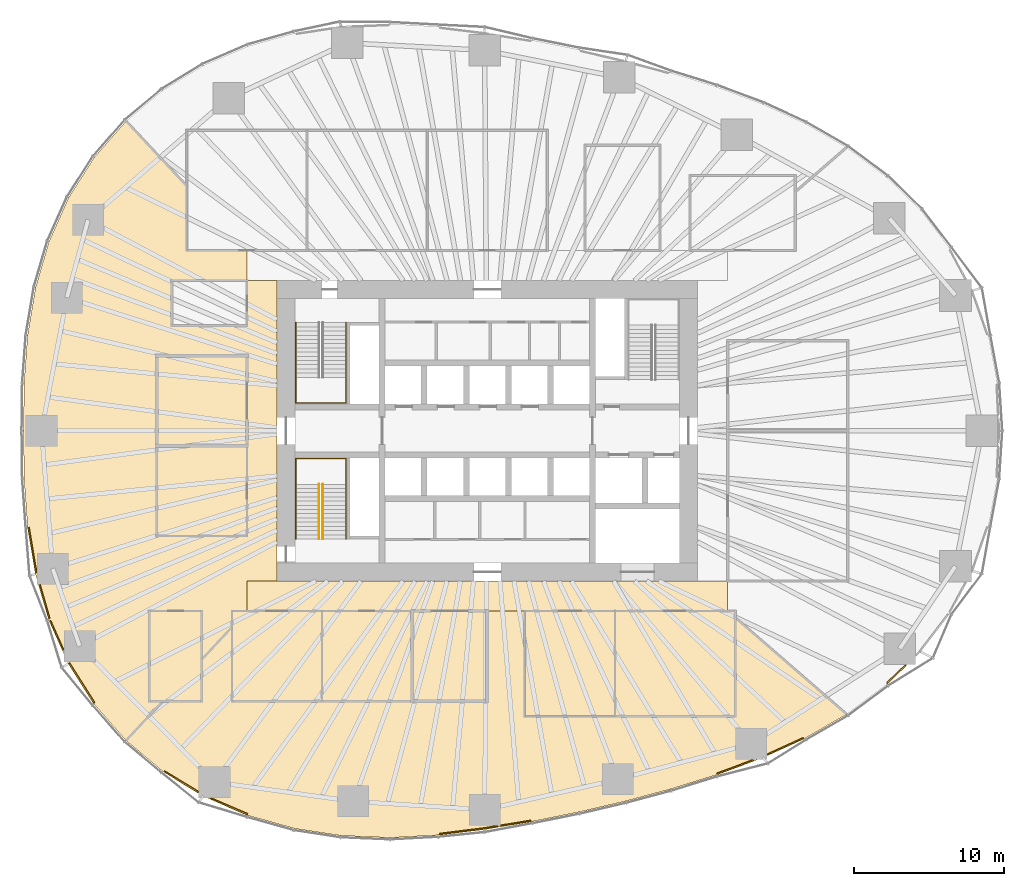
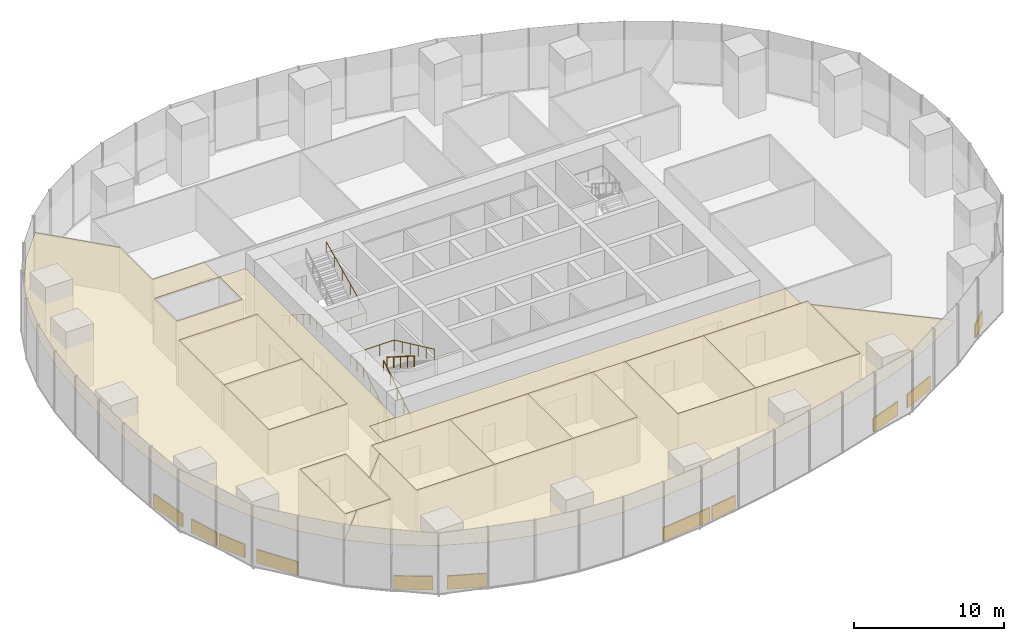
# One storey, part 17 of 20: 23 coverings, 4 railings.
"""IFC4 building model written with IfcOpenShell, lengths in metres."""

from ifc_helpers import new_model, si_unit, direction, frame, origin, origin_2d, place, context, subcontext, project, spatial, polyline, rectangle, circle, outline, extrude, material, layer, layer_set, type_object, element, save


model = new_model("IFC4")

# Units and contexts
model_context = context("Model", 3, precision=1e-05, world=origin(), true_north=direction((0.0, 1.0)))
body_context = subcontext(model_context, "Body", "Model", "MODEL_VIEW")
ifc_project = project(units=[si_unit("LENGTHUNIT", "METRE"), si_unit("AREAUNIT", "SQUARE_METRE"), si_unit("VOLUMEUNIT", "CUBIC_METRE"), si_unit("PLANEANGLEUNIT", "RADIAN"), si_unit("MASSUNIT", "GRAM", prefix="KILO")], contexts=[model_context])

# Site, building, storey
site_placement = place(None, origin())
site = spatial("IfcSite", under=ifc_project, at=site_placement, CompositionType="ELEMENT")
building_placement = place(site_placement, origin())
building = spatial("IfcBuilding", under=site, at=building_placement, Name="Ghaith Harvest Tower", CompositionType="ELEMENT")
storey_placement = place(building_placement, frame((0.0, 0.0, 35.0)))
storey = spatial("IfcBuildingStorey", under=building, at=storey_placement, Name="L07", CompositionType="ELEMENT", Elevation=35.0)

# Coverings
ifc_material_1 = material(Name="Mineral fibre ceiling tile", Category="gypsum")
ifc_layer_1 = layer(ifc_material_1, 0.02490234375)
ifc_layer_set_1 = layer_set([ifc_layer_1], Name="CEILING C2")
covering_type_1 = type_object("IfcCoveringType", Name="CEILING C2", PredefinedType="CEILING", material=ifc_layer_set_1)
covering_1_placement = place(storey_placement, frame((0.0, 0.0, 3.60009765625)))
element("IfcCovering", 1, at=covering_1_placement, inside=storey, type_object=covering_type_1, Name="Ceiling L07-07", PredefinedType="CEILING", context=body_context, shape_type="SweptSolid", body=[
    extrude(outline(polyline([(-17.0, -18.0), (-11.0, -18.0), (-11.0, -12.0), (-17.0, -12.0), (-17.0, -18.0)])), origin(), (0.0, 0.0, 1.0), 0.02490234375),
])
covering_2_placement = place(storey_placement, frame((0.0, 0.0, 3.60009765625)))
element("IfcCovering", 2, at=covering_2_placement, inside=storey, type_object=covering_type_1, Name="Ceiling L07-08", PredefinedType="CEILING", context=body_context, shape_type="SweptSolid", body=[
    extrude(outline(polyline([(-11.0, -18.0), (-5.0, -18.0), (-5.0, -12.0), (-11.0, -12.0), (-11.0, -18.0)])), origin(), (0.0, 0.0, 1.0), 0.02490234375),
])
covering_3_placement = place(storey_placement, frame((0.0, 0.0, 3.60009765625)))
element("IfcCovering", 3, at=covering_3_placement, inside=storey, type_object=covering_type_1, Name="Ceiling L07-09", PredefinedType="CEILING", context=body_context, shape_type="SweptSolid", body=[
    extrude(outline(polyline([(-5.0, -18.0), (0.0, -18.0), (0.0, -12.0), (-5.0, -12.0), (-5.0, -18.0)])), origin(), (0.0, 0.0, 1.0), 0.02490234375),
])
covering_4_placement = place(storey_placement, frame((0.0, 0.0, 3.60009765625)))
element("IfcCovering", 4, at=covering_4_placement, inside=storey, type_object=covering_type_1, Name="Ceiling L07-10", PredefinedType="CEILING", context=body_context, shape_type="SweptSolid", body=[
    extrude(outline(polyline([(2.5, -19.0), (8.5, -19.0), (8.5, -12.0), (2.5, -12.0), (2.5, -19.0)])), origin(), (0.0, 0.0, 1.0), 0.02490234375),
])
covering_5_placement = place(storey_placement, frame((0.0, 0.0, 3.60009765625)))
element("IfcCovering", 5, at=covering_5_placement, inside=storey, type_object=covering_type_1, Name="Ceiling L07-11", PredefinedType="CEILING", context=body_context, shape_type="SweptSolid", body=[
    extrude(outline(polyline([(8.5, -19.0), (16.5, -19.0), (16.5, -12.0), (8.5, -12.0), (8.5, -19.0)])), origin(), (0.0, 0.0, 1.0), 0.02490234375),
])
covering_6_placement = place(storey_placement, frame((0.0, 0.0, 3.60009765625)))
element("IfcCovering", 6, at=covering_6_placement, inside=storey, type_object=covering_type_1, Name="Ceiling L07-12", PredefinedType="CEILING", context=body_context, shape_type="SweptSolid", body=[
    extrude(outline(polyline([(-22.0, -7.0), (-16.0, -7.0), (-16.0, -1.0), (-22.0, -1.0), (-22.0, -7.0)])), origin(), (0.0, 0.0, 1.0), 0.02490234375),
])
covering_7_placement = place(storey_placement, frame((0.0, 0.0, 3.60009765625)))
element("IfcCovering", 7, at=covering_7_placement, inside=storey, type_object=covering_type_1, Name="Ceiling L07-13", PredefinedType="CEILING", context=body_context, shape_type="SweptSolid", body=[
    extrude(outline(polyline([(-22.0, -1.0), (-16.0, -1.0), (-16.0, 5.0), (-22.0, 5.0), (-22.0, -1.0)])), origin(), (0.0, 0.0, 1.0), 0.02490234375),
])
covering_8_placement = place(storey_placement, frame((0.0, 0.0, 3.60009765625)))
element("IfcCovering", 8, at=covering_8_placement, inside=storey, type_object=covering_type_1, Name="Ceiling L07-15", PredefinedType="CEILING", context=body_context, shape_type="SweptSolid", body=[
    extrude(outline(polyline([(-22.5, -18.0), (-19.0, -18.0), (-19.0, -12.0), (-22.5, -12.0), (-22.5, -18.0)])), origin(), (0.0, 0.0, 1.0), 0.02490234375),
])
covering_9_placement = place(storey_placement, frame((0.0, 0.0, 3.60009765625)))
element("IfcCovering", 9, at=covering_9_placement, inside=storey, type_object=covering_type_1, Name="Ceiling L07-C2", PredefinedType="CEILING", context=body_context, shape_type="SweptSolid", body=[
    extrude(outline(polyline([(-16.0, -10.0), (16.0, -10.0), (16.0, -12.0), (-16.0, -12.0), (-16.0, -10.0)])), origin(), (0.0, 0.0, 1.0), 0.02490234375),
])
covering_10_placement = place(storey_placement, frame((0.0, 0.0, 3.60009765625)))
element("IfcCovering", 10, at=covering_10_placement, inside=storey, type_object=covering_type_1, Name="Ceiling L07-S1", PredefinedType="CEILING", context=body_context, shape_type="SweptSolid", body=[
    extrude(outline(polyline([(-12.828125, -26.476806640625), (-15.907958984375, -25.614501953125), (-18.8935546875, -24.32763671875), (-21.59912109375, -22.671142578125), (-24.04833984375, -20.618408203125), (-21.60302734375, -18.0), (-19.0, -18.0), (-19.0, -15.21240234375), (-17.0, -13.07080078125), (-17.0, -18.0), (0.0, -18.0), (0.0, -12.0), (2.5, -12.0), (2.5, -19.0), (16.5, -19.0), (16.5, -12.43359375), (23.92431640625, -18.873046875), (21.149169921875, -20.469482421875), (18.34521484375, -21.7548828125), (15.22119140625, -22.916259765625), (12.1796875, -23.857666015625), (9.21533203125, -24.65087890625), (6.10888671875, -25.378662109375), (2.99560546875, -26.004150390625), (-0.181396484375, -26.527099609375), (-3.24755859375, -26.91064453125), (-6.4375, -27.0849609375), (-9.733642578125, -26.949951171875), (-12.828125, -26.476806640625)])), origin(), (0.0, 0.0, 1.0), 0.02490234375),
])
covering_11_placement = place(storey_placement, frame((0.0, 0.0, 3.60009765625)))
element("IfcCovering", 11, at=covering_11_placement, inside=storey, type_object=covering_type_1, Name="Ceiling L07-W1", PredefinedType="CEILING", context=body_context, shape_type="SweptSolid", body=[
    extrude(outline(polyline([(-27.881591796875, -15.507080078125), (-29.182373046875, -12.587890625), (-30.073974609375, -9.531005859375), (-30.606689453125, -6.35107421875), (-30.837158203125, -3.165771484375), (-30.875, 0.0), (-30.837158203125, 3.165771484375), (-30.606689453125, 6.35107421875), (-30.073974609375, 9.531005859375), (-29.182373046875, 12.587890625), (-27.881591796875, 15.507080078125), (-26.16455078125, 18.20556640625), (-24.04833984375, 20.618408203125), (-20.0, 16.283203125), (-20.0, 12.0), (-16.0, 12.0), (-16.0, 10.010009765625), (-21.010009765625, 10.010009765625), (-21.010009765625, 6.989990234375), (-15.989990234375, 6.989990234375), (-15.989990234375, 10.0), (-14.0, 10.0), (-14.0, -10.0), (-16.0, -10.0), (-16.0, -12.0), (-17.0, -12.0), (-17.0, -13.07080078125), (-19.0, -15.21240234375), (-19.0, -12.0), (-22.5, -12.0), (-22.5, -18.0), (-21.60302734375, -18.0), (-24.04833984375, -20.618408203125), (-26.16455078125, -18.20556640625), (-27.881591796875, -15.507080078125)]), holes=[polyline([(-16.0, -7.0), (-16.0, 5.0), (-22.0, 5.0), (-22.0, -7.0), (-16.0, -7.0)])]), origin(), (0.0, 0.0, 1.0), 0.02490234375),
])

# Railings
ifc_material_2 = material(Name="Steel, black powder-coated", Category="steel")
railing_type = type_object("IfcRailingType", Name="HANDRAIL HR1", PredefinedType="HANDRAIL", material=ifc_material_2)
railing_1_placement = place(storey_placement, frame((-12.75, 7.199951171875, 0.178466796875)))
element("IfcRailing", 12, at=railing_1_placement, inside=storey, type_object=railing_type, Name="Handrail HR1 stair ST1 L07 wall side", PredefinedType="HANDRAIL", context=body_context, shape_type="SweptSolid", body=[
    extrude(circle(Radius=0.02392578125, at=origin_2d()), frame((0.0, 0.0, 0.8759765625), z_axis=(0.0, -0.843111507901, 0.53773877045), x_axis=(1.0, 0.0, 0.0)), (0.0, 0.0, 1.0), 4.317138671875),
    extrude(circle(Radius=0.02392578125, at=origin_2d()), frame((0.0, -3.639892578125, 3.197265625), z_axis=(0.0, -1.0, 0.0), x_axis=(1.0, 0.0, 0.0)), (0.0, 0.0, 1.0), 1.7099609375),
    extrude(circle(Radius=0.02392578125, at=origin_2d()), frame((0.0, -5.349853515625, 3.197265625), z_axis=(1.0, 0.0, 0.0), x_axis=(0.0, 1.0, 0.0)), (0.0, 0.0, 1.0), 3.35009765625),
    extrude(circle(Radius=0.02392578125, at=origin_2d()), frame((3.35009765625, -5.349853515625, 3.197265625), z_axis=(0.0, 0.905962265858, 0.423358444868), x_axis=(-1.0, 0.0, 0.0)), (0.0, 0.0, 1.0), 5.9052734375),
    extrude(circle(Radius=0.02099609375, at=origin_2d()), origin(), (0.0, 0.0, 1.0), 0.851806640625),
    extrude(circle(Radius=0.02099609375, at=origin_2d()), frame((0.0, -0.909912109375, 0.580322265625)), (0.0, 0.0, 1.0), 0.851806640625),
    extrude(circle(Radius=0.02099609375, at=origin_2d()), frame((0.0, -1.81982421875, 1.16064453125)), (0.0, 0.0, 1.0), 0.851806640625),
    extrude(circle(Radius=0.02099609375, at=origin_2d()), frame((0.0, -2.72998046875, 1.7412109375)), (0.0, 0.0, 1.0), 0.851806640625),
    extrude(circle(Radius=0.02099609375, at=origin_2d()), frame((0.0, -3.639892578125, 2.321533203125)), (0.0, 0.0, 1.0), 0.851806640625),
    extrude(circle(Radius=0.02099609375, at=origin_2d()), frame((0.0, -4.494873046875, 2.321533203125)), (0.0, 0.0, 1.0), 0.851806640625),
    extrude(circle(Radius=0.02099609375, at=origin_2d()), frame((0.0, -5.349853515625, 2.321533203125)), (0.0, 0.0, 1.0), 0.851806640625),
    extrude(circle(Radius=0.02099609375, at=origin_2d()), frame((1.11669921875, -5.349853515625, 2.321533203125)), (0.0, 0.0, 1.0), 0.851806640625),
    extrude(circle(Radius=0.02099609375, at=origin_2d()), frame((2.2333984375, -5.349853515625, 2.321533203125)), (0.0, 0.0, 1.0), 0.851806640625),
    extrude(circle(Radius=0.02099609375, at=origin_2d()), frame((3.35009765625, -5.349853515625, 2.321533203125)), (0.0, 0.0, 1.0), 0.851806640625),
    extrude(circle(Radius=0.02099609375, at=origin_2d()), frame((3.35009765625, -4.27978515625, 2.821533203125)), (0.0, 0.0, 1.0), 0.851806640625),
    extrude(circle(Radius=0.02099609375, at=origin_2d()), frame((3.35009765625, -3.2099609375, 3.321533203125)), (0.0, 0.0, 1.0), 0.851806640625),
    extrude(circle(Radius=0.02099609375, at=origin_2d()), frame((3.35009765625, -2.139892578125, 3.821533203125)), (0.0, 0.0, 1.0), 0.851806640625),
    extrude(circle(Radius=0.02099609375, at=origin_2d()), frame((3.35009765625, -1.070068359375, 4.321533203125)), (0.0, 0.0, 1.0), 0.851806640625),
    extrude(circle(Radius=0.02099609375, at=origin_2d()), frame((3.35009765625, 0.0, 4.821533203125)), (0.0, 0.0, 1.0), 0.851806640625),
])
railing_2_placement = place(storey_placement, frame((-11.199951171875, -7.199951171875, 0.178466796875)))
element("IfcRailing", 13, at=railing_2_placement, inside=storey, type_object=railing_type, Name="Handrail HR1 stair ST3 L07 flight 1 inner", PredefinedType="HANDRAIL", context=body_context, shape_type="SweptSolid", body=[
    extrude(circle(Radius=0.02392578125, at=origin_2d()), frame((0.0, 0.0, 0.8759765625), z_axis=(0.0, 0.843111507901, 0.53773877045), x_axis=(-1.0, 0.0, 0.0)), (0.0, 0.0, 1.0), 4.317138671875),
    extrude(circle(Radius=0.02099609375, at=origin_2d()), origin(), (0.0, 0.0, 1.0), 0.851806640625),
    extrude(circle(Radius=0.02099609375, at=origin_2d()), frame((0.0, 0.909912109375, 0.580322265625)), (0.0, 0.0, 1.0), 0.851806640625),
    extrude(circle(Radius=0.02099609375, at=origin_2d()), frame((0.0, 1.81982421875, 1.16064453125)), (0.0, 0.0, 1.0), 0.851806640625),
    extrude(circle(Radius=0.02099609375, at=origin_2d()), frame((0.0, 2.72998046875, 1.7412109375)), (0.0, 0.0, 1.0), 0.851806640625),
    extrude(circle(Radius=0.02099609375, at=origin_2d()), frame((0.0, 3.639892578125, 2.321533203125)), (0.0, 0.0, 1.0), 0.851806640625),
])
railing_3_placement = place(storey_placement, frame((-10.949951171875, -3.56005859375, 2.678466796875)))
element("IfcRailing", 14, at=railing_3_placement, inside=storey, type_object=railing_type, Name="Handrail HR1 stair ST3 L07 flight 2 inner", PredefinedType="HANDRAIL", context=body_context, shape_type="SweptSolid", body=[
    extrude(circle(Radius=0.02392578125, at=origin_2d()), frame((0.0, 0.0, 0.8759765625), z_axis=(0.0, -0.843111507901, 0.53773877045), x_axis=(1.0, 0.0, 0.0)), (0.0, 0.0, 1.0), 4.317138671875),
    extrude(circle(Radius=0.02099609375, at=origin_2d()), origin(), (0.0, 0.0, 1.0), 0.851806640625),
    extrude(circle(Radius=0.02099609375, at=origin_2d()), frame((0.0, -0.909912109375, 0.580322265625)), (0.0, 0.0, 1.0), 0.851806640625),
    extrude(circle(Radius=0.02099609375, at=origin_2d()), frame((0.0, -1.81982421875, 1.16064453125)), (0.0, 0.0, 1.0), 0.851806640625),
    extrude(circle(Radius=0.02099609375, at=origin_2d()), frame((0.0, -2.72998046875, 1.7412109375)), (0.0, 0.0, 1.0), 0.851806640625),
    extrude(circle(Radius=0.02099609375, at=origin_2d()), frame((0.0, -3.639892578125, 2.321533203125)), (0.0, 0.0, 1.0), 0.851806640625),
])
railing_4_placement = place(storey_placement, frame((-12.75, -7.199951171875, 0.178466796875)))
element("IfcRailing", 15, at=railing_4_placement, inside=storey, type_object=railing_type, Name="Handrail HR1 stair ST3 L07 wall side", PredefinedType="HANDRAIL", context=body_context, shape_type="SweptSolid", body=[
    extrude(circle(Radius=0.02392578125, at=origin_2d()), frame((0.0, 0.0, 0.8759765625), z_axis=(0.0, 0.843111507901, 0.53773877045), x_axis=(-1.0, 0.0, 0.0)), (0.0, 0.0, 1.0), 4.317138671875),
    extrude(circle(Radius=0.02392578125, at=origin_2d()), frame((0.0, 3.639892578125, 3.197265625), z_axis=(0.0, 1.0, 0.0), x_axis=(-1.0, 0.0, 0.0)), (0.0, 0.0, 1.0), 1.7099609375),
    extrude(circle(Radius=0.02392578125, at=origin_2d()), frame((0.0, 5.349853515625, 3.197265625), z_axis=(1.0, 0.0, 0.0), x_axis=(0.0, 1.0, 0.0)), (0.0, 0.0, 1.0), 3.35009765625),
    extrude(circle(Radius=0.02392578125, at=origin_2d()), frame((3.35009765625, 5.349853515625, 3.197265625), z_axis=(0.0, -0.905962265858, 0.423358444868), x_axis=(1.0, 0.0, 0.0)), (0.0, 0.0, 1.0), 5.9052734375),
    extrude(circle(Radius=0.02099609375, at=origin_2d()), origin(), (0.0, 0.0, 1.0), 0.851806640625),
    extrude(circle(Radius=0.02099609375, at=origin_2d()), frame((0.0, 0.909912109375, 0.580322265625)), (0.0, 0.0, 1.0), 0.851806640625),
    extrude(circle(Radius=0.02099609375, at=origin_2d()), frame((0.0, 1.81982421875, 1.16064453125)), (0.0, 0.0, 1.0), 0.851806640625),
    extrude(circle(Radius=0.02099609375, at=origin_2d()), frame((0.0, 2.72998046875, 1.7412109375)), (0.0, 0.0, 1.0), 0.851806640625),
    extrude(circle(Radius=0.02099609375, at=origin_2d()), frame((0.0, 3.639892578125, 2.321533203125)), (0.0, 0.0, 1.0), 0.851806640625),
    extrude(circle(Radius=0.02099609375, at=origin_2d()), frame((0.0, 4.494873046875, 2.321533203125)), (0.0, 0.0, 1.0), 0.851806640625),
    extrude(circle(Radius=0.02099609375, at=origin_2d()), frame((0.0, 5.349853515625, 2.321533203125)), (0.0, 0.0, 1.0), 0.851806640625),
    extrude(circle(Radius=0.02099609375, at=origin_2d()), frame((1.11669921875, 5.349853515625, 2.321533203125)), (0.0, 0.0, 1.0), 0.851806640625),
    extrude(circle(Radius=0.02099609375, at=origin_2d()), frame((2.2333984375, 5.349853515625, 2.321533203125)), (0.0, 0.0, 1.0), 0.851806640625),
    extrude(circle(Radius=0.02099609375, at=origin_2d()), frame((3.35009765625, 5.349853515625, 2.321533203125)), (0.0, 0.0, 1.0), 0.851806640625),
    extrude(circle(Radius=0.02099609375, at=origin_2d()), frame((3.35009765625, 4.27978515625, 2.821533203125)), (0.0, 0.0, 1.0), 0.851806640625),
    extrude(circle(Radius=0.02099609375, at=origin_2d()), frame((3.35009765625, 3.2099609375, 3.321533203125)), (0.0, 0.0, 1.0), 0.851806640625),
    extrude(circle(Radius=0.02099609375, at=origin_2d()), frame((3.35009765625, 2.139892578125, 3.821533203125)), (0.0, 0.0, 1.0), 0.851806640625),
    extrude(circle(Radius=0.02099609375, at=origin_2d()), frame((3.35009765625, 1.070068359375, 4.321533203125)), (0.0, 0.0, 1.0), 0.851806640625),
    extrude(circle(Radius=0.02099609375, at=origin_2d()), frame((3.35009765625, 0.0, 4.821533203125)), (0.0, 0.0, 1.0), 0.851806640625),
])

# Coverings
ifc_material_3 = material(Name="Insulated aluminium spandrel panel on steel framing", Category="steel")
ifc_layer_2 = layer(ifc_material_3, 0.10009765625)
ifc_layer_set_2 = layer_set([ifc_layer_2], Name="SLAB EDGE UPSTAND 1100x100")
covering_type_2 = type_object("IfcCoveringType", Name="SLAB EDGE UPSTAND 1100x100", PredefinedType="CLADDING", material=ifc_layer_set_2)
covering_12_placement = place(storey_placement, frame((-30.2900390625, -7.9384765625, 0.0), z_axis=(0.0, 0.0, 1.0), x_axis=(0.165246181786, -0.986252350773, 0.0)))
element("IfcCovering", 16, at=covering_12_placement, inside=storey, type_object=covering_type_2, Name="Slab edge upstand 3 bay 11 L07", PredefinedType="CLADDING", context=body_context, shape_type="SweptSolid", body=[
    extrude(rectangle(XDim=3.03564453125, YDim=0.10009765625, at=origin_2d()), origin(), (0.0, 0.0, 1.0), 1.10009765625),
])
covering_13_placement = place(storey_placement, frame((-29.48828125, -11.35986328125, 0.0), z_axis=(0.0, 0.0, 1.0), x_axis=(0.280032411303, -0.95999054611, 0.0)))
element("IfcCovering", 17, at=covering_13_placement, inside=storey, type_object=covering_type_2, Name="Slab edge upstand 1 bay 12 L07", PredefinedType="CLADDING", context=body_context, shape_type="SweptSolid", body=[
    extrude(rectangle(XDim=2.3291015625, YDim=0.10009765625, at=origin_2d()), origin(), (0.0, 0.0, 1.0), 1.10009765625),
])
covering_14_placement = place(storey_placement, frame((-28.666748046875, -13.621826171875, 0.0), z_axis=(0.0, 0.0, 1.0), x_axis=(0.407003427802, -0.913426630747, 0.0)))
element("IfcCovering", 18, at=covering_14_placement, inside=storey, type_object=covering_type_2, Name="Slab edge upstand 2 bay 12 L07", PredefinedType="CLADDING", context=body_context, shape_type="SweptSolid", body=[
    extrude(rectangle(XDim=2.108642578125, YDim=0.10009765625, at=origin_2d()), origin(), (0.0, 0.0, 1.0), 1.10009765625),
])
covering_15_placement = place(storey_placement, frame((-27.0078125, -16.787353515625, 0.0), z_axis=(0.0, 0.0, 1.0), x_axis=(0.536807372204, -0.843704832952, 0.0)))
element("IfcCovering", 19, at=covering_15_placement, inside=storey, type_object=covering_type_2, Name="Slab edge upstand 3 bay 12 L07", PredefinedType="CLADDING", context=body_context, shape_type="SweptSolid", body=[
    extrude(rectangle(XDim=3.098388671875, YDim=0.10009765625, at=origin_2d()), origin(), (0.0, 0.0, 1.0), 1.10009765625),
])
covering_16_placement = place(storey_placement, frame((-20.36572265625, -23.367431640625, 0.0), z_axis=(0.0, 0.0, 1.0), x_axis=(0.852846651269, -0.522161459148, 0.0)))
element("IfcCovering", 20, at=covering_16_placement, inside=storey, type_object=covering_type_2, Name="Slab edge upstand 3 bay 13 L07", PredefinedType="CLADDING", context=body_context, shape_type="SweptSolid", body=[
    extrude(rectangle(XDim=2.630615234375, YDim=0.10009765625, at=origin_2d()), origin(), (0.0, 0.0, 1.0), 1.10009765625),
])
covering_17_placement = place(storey_placement, frame((-17.18994140625, -25.007568359375, 0.0), z_axis=(0.0, 0.0, 1.0), x_axis=(0.918306928324, -0.395869151856, 0.0)))
element("IfcCovering", 21, at=covering_17_placement, inside=storey, type_object=covering_type_2, Name="Slab edge upstand 1 bay 14 L07", PredefinedType="CLADDING", context=body_context, shape_type="SweptSolid", body=[
    extrude(rectangle(XDim=2.63525390625, YDim=0.10009765625, at=origin_2d()), origin(), (0.0, 0.0, 1.0), 1.10009765625),
])
covering_18_placement = place(storey_placement, frame((-1.671142578125, -26.6630859375, 0.0), z_axis=(0.0, 0.0, 1.0), x_axis=(0.992264868881, 0.124138752952, 0.0)))
element("IfcCovering", 22, at=covering_18_placement, inside=storey, type_object=covering_type_2, Name="Slab edge upstand 3 bay 15 L07", PredefinedType="CLADDING", context=body_context, shape_type="SweptSolid", body=[
    extrude(rectangle(XDim=2.98974609375, YDim=0.10009765625, at=origin_2d()), origin(), (0.0, 0.0, 1.0), 1.10009765625),
])
covering_19_placement = place(storey_placement, frame((0.2490234375, -26.405517578125, 0.0), z_axis=(0.0, 0.0, 1.0), x_axis=(0.98671624755, 0.162453214254, 0.0)))
element("IfcCovering", 23, at=covering_19_placement, inside=storey, type_object=covering_type_2, Name="Slab edge upstand 1 bay 16 L07", PredefinedType="CLADDING", context=body_context, shape_type="SweptSolid", body=[
    extrude(rectangle(XDim=0.88916015625, YDim=0.10009765625, at=origin_2d()), origin(), (0.0, 0.0, 1.0), 1.10009765625),
])
covering_20_placement = place(storey_placement, frame((1.891845703125, -26.135009765625, 0.0), z_axis=(0.0, 0.0, 1.0), x_axis=(0.98671624755, 0.162453214254, 0.0)))
element("IfcCovering", 24, at=covering_20_placement, inside=storey, type_object=covering_type_2, Name="Slab edge upstand 1 bay 16 L07", PredefinedType="CLADDING", context=body_context, shape_type="SweptSolid", body=[
    extrude(rectangle(XDim=2.0205078125, YDim=0.10009765625, at=origin_2d()), origin(), (0.0, 0.0, 1.0), 1.10009765625),
])
covering_21_placement = place(storey_placement, frame((16.495361328125, -22.38916015625, 0.0), z_axis=(0.0, 0.0, 1.0), x_axis=(0.937331853701, 0.348437937139, 0.0)))
element("IfcCovering", 25, at=covering_21_placement, inside=storey, type_object=covering_type_2, Name="Slab edge upstand 3 bay 17 L07", PredefinedType="CLADDING", context=body_context, shape_type="SweptSolid", body=[
    extrude(rectangle(XDim=2.555908203125, YDim=0.10009765625, at=origin_2d()), origin(), (0.0, 0.0, 1.0), 1.10009765625),
])
covering_22_placement = place(storey_placement, frame((19.84521484375, -21.01220703125, 0.0), z_axis=(0.0, 0.0, 1.0), x_axis=(0.909046054499, 0.416695657284, 0.0)))
element("IfcCovering", 26, at=covering_22_placement, inside=storey, type_object=covering_type_2, Name="Slab edge upstand 1 bay 18 L07", PredefinedType="CLADDING", context=body_context, shape_type="SweptSolid", body=[
    extrude(rectangle(XDim=2.623291015625, YDim=0.10009765625, at=origin_2d()), origin(), (0.0, 0.0, 1.0), 1.10009765625),
])
covering_23_placement = place(storey_placement, frame((27.227783203125, -16.205078125, 0.0), z_axis=(0.0, 0.0, 1.0), x_axis=(0.717386427289, 0.69667547247, 0.0)))
element("IfcCovering", 27, at=covering_23_placement, inside=storey, type_object=covering_type_2, Name="Slab edge upstand 1 bay 19 L07", PredefinedType="CLADDING", context=body_context, shape_type="SweptSolid", body=[
    extrude(rectangle(XDim=1.723388671875, YDim=0.10009765625, at=origin_2d()), origin(), (0.0, 0.0, 1.0), 1.10009765625),
])

save(model, "model.ifc")
